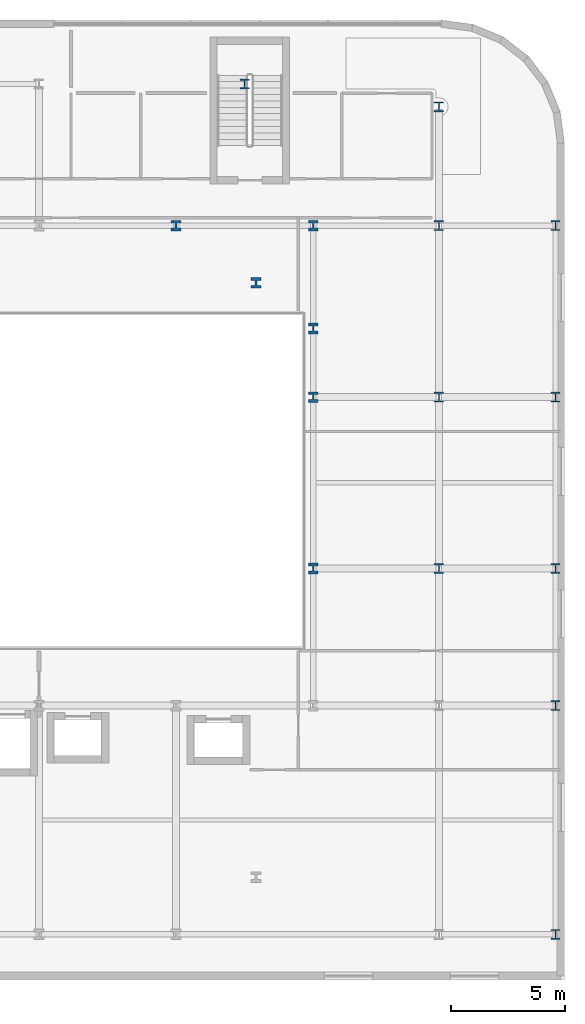
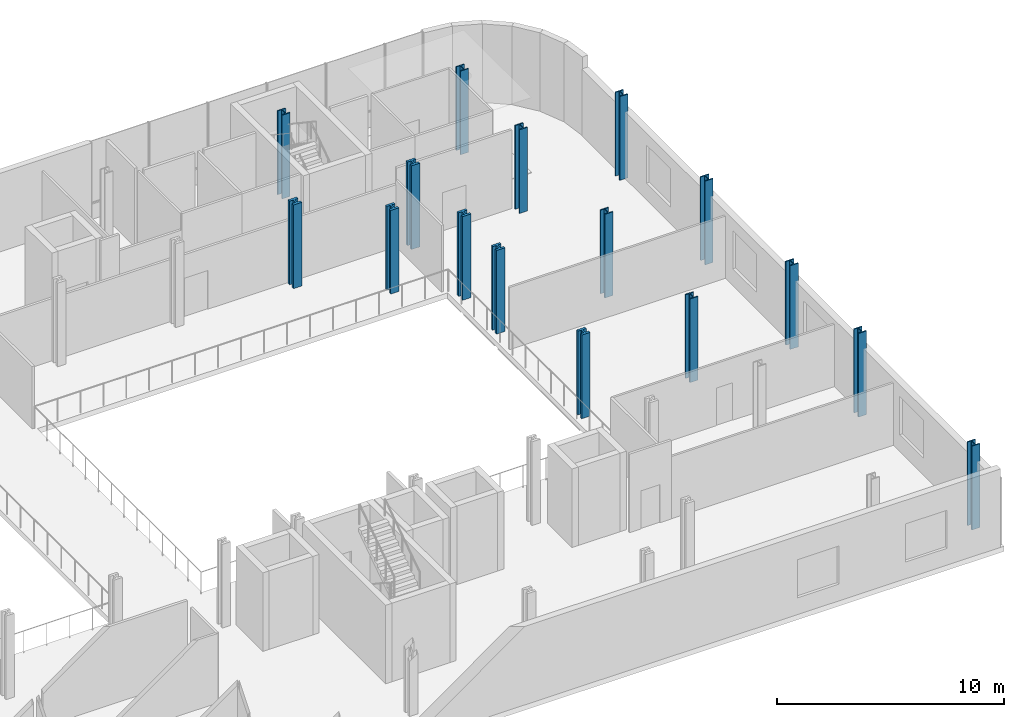
# One storey, part 2 of 25: 16 columns.
"""IFC4 building model written with IfcOpenShell, lengths in metres."""

from ifc_helpers import new_model, si_unit, direction, frame, origin, origin_2d, place, context, subcontext, project, spatial, i_section, extrude, material, material_profile, profile_set, type_object, element, save


model = new_model("IFC4")

# Units and contexts
model_context = context("Model", 3, precision=1e-05, world=origin(), true_north=direction((0.0, 1.0)))
body_context = subcontext(model_context, "Body", "Model", "MODEL_VIEW")
ifc_project = project(units=[si_unit("LENGTHUNIT", "METRE"), si_unit("AREAUNIT", "SQUARE_METRE"), si_unit("VOLUMEUNIT", "CUBIC_METRE"), si_unit("PLANEANGLEUNIT", "RADIAN"), si_unit("MASSUNIT", "GRAM", prefix="KILO")], contexts=[model_context])

# Site, building, storey
site_placement = place(None, origin())
site = spatial("IfcSite", under=ifc_project, at=site_placement, CompositionType="ELEMENT")
building_placement = place(site_placement, origin())
building = spatial("IfcBuilding", under=site, at=building_placement, Name="Brevholm Reach", CompositionType="ELEMENT")
storey_placement = place(building_placement, frame((0.0, 0.0, 9.0)))
storey = spatial("IfcBuildingStorey", under=building, at=storey_placement, Name="L02", CompositionType="ELEMENT", Elevation=9.0)

# Columns
ifc_material_1 = material(Name="Structural Steel S460ML", Category="steel")
ifc_material_profile_1 = material_profile(ifc_material_1, i_section(OverallWidth=0.427978515625, OverallDepth=0.468994140625, WebThickness=0.077880859375, FlangeThickness=0.125, FilletRadius=0.014892578125, at=origin_2d()), Name="HD 400x1086")
ifc_profile_set_1 = profile_set([ifc_material_profile_1], Name="Structural Steel S460ML")
column_type_1 = type_object("IfcColumnType", Name="COL-HD1", PredefinedType="COLUMN", material=ifc_profile_set_1)
for number, where, z_axis, x_axis, name in (
    (1, (54.0, 31.0, 0.0), (0.0, 0.0, 1.0), (1.0, 0.0, 0.0), "L02 Column 52"),
    (2, (57.5, 28.5, 0.0), (0.0, 0.0, 1.0), (1.0, 0.0, 0.0), "L02 Column 55"),
    (3, (60.0, 16.0, 0.0), (0.0, 0.0, 1.0), (1.0, 0.0, 0.0), "L02 Column 57"),
    (4, (60.0, 23.5, 0.0), (0.0, 0.0, 1.0), (1.0, 0.0, 0.0), "L02 Column 58"),
    (5, (60.0, 26.5, 0.0), (0.0, 0.0, 1.0), (1.0, 0.0, 0.0), "L02 Column 59"),
    (6, (60.0, 31.0, 0.0), (0.0, 0.0, 1.0), (1.0, 0.0, 0.0), "L02 Column 60"),
):
    element("IfcColumn", number, at=place(storey_placement, frame(where, z_axis=z_axis, x_axis=x_axis)), inside=storey, type_object=column_type_1, Name=name, PredefinedType="COLUMN", context=body_context, shape_type="SweptSolid", body=[
        extrude(i_section(OverallWidth=0.427978515625, OverallDepth=0.468994140625, WebThickness=0.077880859375, FlangeThickness=0.125, FilletRadius=0.014892578125, at=origin_2d()), origin(), (0.0, 0.0, 1.0), 4.5),
    ])
ifc_material_2 = material(Name="Structural Steel S460ML", Category="steel")
ifc_material_profile_2 = material_profile(ifc_material_2, i_section(OverallWidth=0.412109375, OverallDepth=0.4365234375, WebThickness=0.035888671875, FlangeThickness=0.05810546875, FilletRadius=0.01513671875, at=origin_2d()), Name="UKC 356x406x467")
ifc_profile_set_2 = profile_set([ifc_material_profile_2], Name="Structural Steel S460ML")
column_type_2 = type_object("IfcColumnType", Name="COL-UC3", PredefinedType="COLUMN", material=ifc_profile_set_2)
for number, where, z_axis, x_axis, name in (
    (7, (57.0, 37.199951171875, 0.0), (0.0, 0.0, 1.0), (1.0, 0.0, 0.0), "L02 Column 53"),
    (8, (65.5, 16.0, 0.0), (0.0, 0.0, 1.0), (1.0, 0.0, 0.0), "L02 Column 63"),
    (9, (65.5, 23.5, 0.0), (0.0, 0.0, 1.0), (1.0, 0.0, 0.0), "L02 Column 64"),
    (10, (65.5, 31.0, 0.0), (0.0, 0.0, 1.0), (1.0, 0.0, 0.0), "L02 Column 65"),
    (11, (65.5, 36.199951171875, 0.0), (0.0, 0.0, 1.0), (1.0, 0.0, 0.0), "L02 Column 66"),
    (12, (70.60009765625, 0.0, 0.0), (0.0, 0.0, 1.0), (1.0, 0.0, 0.0), "L02 Column 67"),
    (13, (70.60009765625, 10.0, 0.0), (0.0, 0.0, 1.0), (1.0, 0.0, 0.0), "L02 Column 68"),
    (14, (70.60009765625, 16.0, 0.0), (0.0, 0.0, 1.0), (1.0, 0.0, 0.0), "L02 Column 69"),
    (15, (70.60009765625, 23.5, 0.0), (0.0, 0.0, 1.0), (1.0, 0.0, 0.0), "L02 Column 70"),
    (16, (70.60009765625, 31.0, 0.0), (0.0, 0.0, 1.0), (1.0, 0.0, 0.0), "L02 Column 71"),
):
    element("IfcColumn", number, at=place(storey_placement, frame(where, z_axis=z_axis, x_axis=x_axis)), inside=storey, type_object=column_type_2, Name=name, PredefinedType="COLUMN", context=body_context, shape_type="SweptSolid", body=[
        extrude(i_section(OverallWidth=0.412109375, OverallDepth=0.4365234375, WebThickness=0.035888671875, FlangeThickness=0.05810546875, FilletRadius=0.01513671875, at=origin_2d()), origin(), (0.0, 0.0, 1.0), 4.5),
    ])

save(model, "model.ifc")
